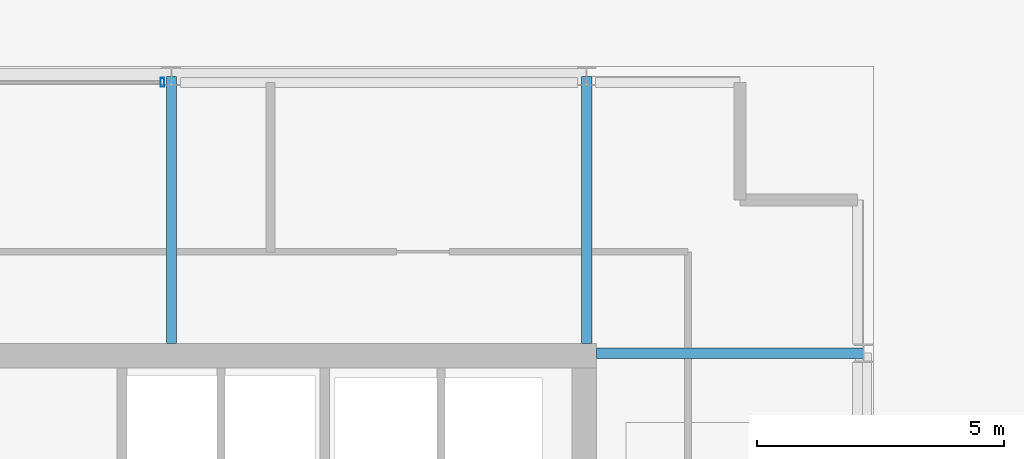
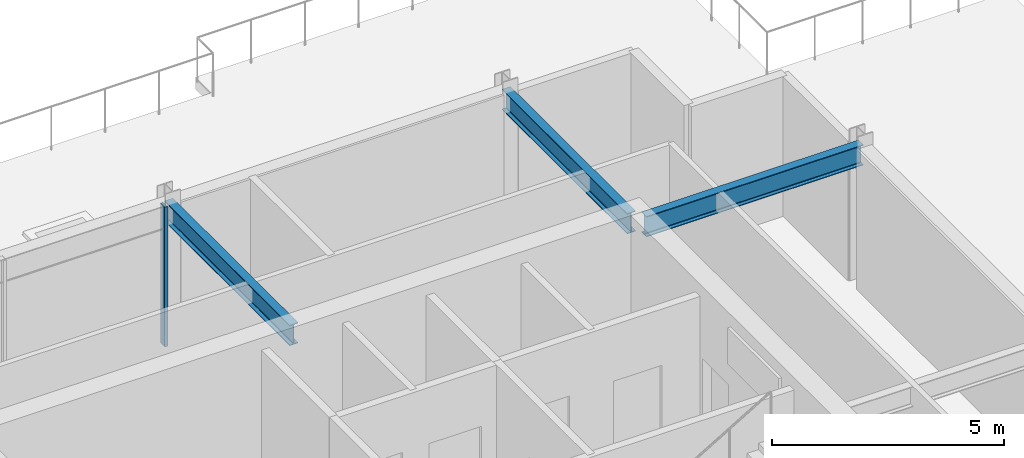
# One storey, part 11 of 17: 3 beams, 1 member, 1 element without a shape of its own.
"""IFC4 building model written with IfcOpenShell, lengths in metres."""

from ifc_helpers import new_model, si_unit, direction, frame, origin, origin_2d, place, context, subcontext, project, spatial, hollow_rectangle, i_section, extrude, material, layer, layer_set, material_profile, profile_set, type_object, element, aggregate, save


model = new_model("IFC4")

# Units and contexts
model_context = context("Model", 3, precision=1e-05, world=origin(), true_north=direction((0.0, 1.0)))
body_context = subcontext(model_context, "Body", "Model", "MODEL_VIEW")
ifc_project = project(units=[si_unit("LENGTHUNIT", "METRE"), si_unit("AREAUNIT", "SQUARE_METRE"), si_unit("VOLUMEUNIT", "CUBIC_METRE"), si_unit("PLANEANGLEUNIT", "RADIAN"), si_unit("MASSUNIT", "GRAM", prefix="KILO")], contexts=[model_context])

# Site, building, storey
site_placement = place(None, origin())
site = spatial("IfcSite", under=ifc_project, at=site_placement, CompositionType="ELEMENT")
building_placement = place(site_placement, origin())
building = spatial("IfcBuilding", under=site, at=building_placement, Name="Drelvath Grand Hotel", CompositionType="ELEMENT")
storey_placement = place(building_placement, frame((0.0, 0.0, 311.39990234375)))
storey = spatial("IfcBuildingStorey", under=building, at=storey_placement, Name="L81", CompositionType="ELEMENT", Elevation=311.39990234375)

# Curtain wall, member
ifc_material_1 = material(Name="Pale-Metal Anodised Aluminium Crown Frame", Category="aluminium")
ifc_layer = layer(ifc_material_1, 0.199951171875)
ifc_layer_set = layer_set([ifc_layer], Name="Pale-Metal Anodised Aluminium Crown Frame")
curtain_wall_type = type_object("IfcCurtainWallType", Name="Stick Curtain Wall CW-06 Pale-Metal Crown Clerestory", PredefinedType="NOTDEFINED", material=ifc_layer_set)
curtain_wall_placement = place(storey_placement, origin())
curtain_wall = element("IfcCurtainWall", 1, at=curtain_wall_placement, inside=storey, type_object=curtain_wall_type, Name="L81 CW-06 Curtain Wall CW06-L81-N", PredefinedType="NOTDEFINED")
ifc_material_profile_1 = material_profile(ifc_material_1, hollow_rectangle(XDim=0.074951171875, YDim=0.179931640625, WallThickness=0.0048828125, at=origin_2d()), Name="HSS180X75X5")
ifc_profile_set_1 = profile_set([ifc_material_profile_1], Name="Pale-Metal Anodised Aluminium Crown Frame")
member_type = type_object("IfcMemberType", Name="Curtain Wall Vertical Mullion CW-06 HSS180X75X5", PredefinedType="MULLION", material=ifc_profile_set_1)
member_placement = place(storey_placement, frame((-0.18310546875, 40.8798828125, 0.0), z_axis=(0.0, 0.0, 1.0), x_axis=(1.0, 0.0, 0.0)))
member = element("IfcMember", 2, at=member_placement, type_object=member_type, Name="CW06-L81-N Mullion 3", PredefinedType="MULLION", context=body_context, shape_type="SweptSolid", body=[
    extrude(hollow_rectangle(XDim=0.074951171875, YDim=0.179931640625, WallThickness=0.0048828125, at=origin_2d()), origin(), (0.0, 0.0, 1.0), 3.68017578125),
])
aggregate(curtain_wall, [member])

# Beams
ifc_material_2 = material(Name="Steel ASTM A992 Gr 50", Category="steel")
ifc_material_profile_2 = material_profile(ifc_material_2, i_section(OverallWidth=0.210205078125, OverallDepth=0.53662109375, WebThickness=0.010986328125, FlangeThickness=0.017333984375, FilletRadius=0.01806640625, at=origin_2d()), Name="W21X68")
ifc_profile_set_2 = profile_set([ifc_material_profile_2], Name="Steel ASTM A992 Gr 50")
beam_type = type_object("IfcBeamType", Name="Primary Floor Girder W21X68", PredefinedType="BEAM", material=ifc_profile_set_2)
for number, where, z_axis, x_axis, name in (
    (3, (8.60009765625, 35.39990234375, 3.41162109375), (1.0, 0.0, 0.0), (0.0, 1.0, 0.0), "L81 Crown Drum Tie East F"),
    (4, (0.0, 35.60009765625, 3.41162109375), (0.0, 1.0, 0.0), (-1.0, 0.0, 0.0), "L81 Crown Drum Tie North 5"),
    (5, (8.39990234375, 35.60009765625, 3.41162109375), (0.0, 1.0, 0.0), (-1.0, 0.0, 0.0), "L81 Crown Drum Tie North 6"),
):
    element("IfcBeam", number, at=place(storey_placement, frame(where, z_axis=z_axis, x_axis=x_axis)), inside=storey, type_object=beam_type, Name=name, PredefinedType="BEAM", context=body_context, shape_type="SweptSolid", body=[
        extrude(i_section(OverallWidth=0.210205078125, OverallDepth=0.53662109375, WebThickness=0.010986328125, FlangeThickness=0.017333984375, FilletRadius=0.01806640625, at=origin_2d()), origin(), (0.0, 0.0, 1.0), 5.39990234375),
    ])

save(model, "model.ifc")
